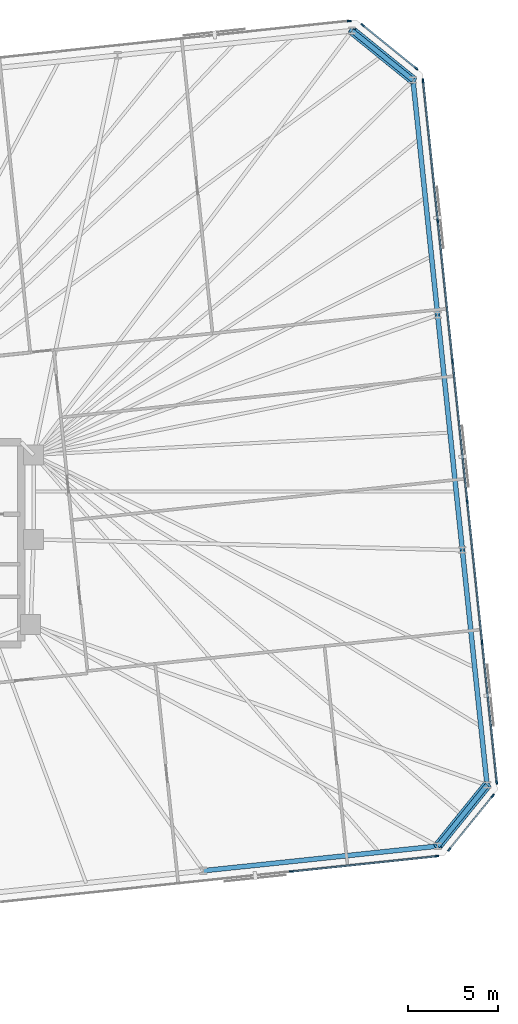
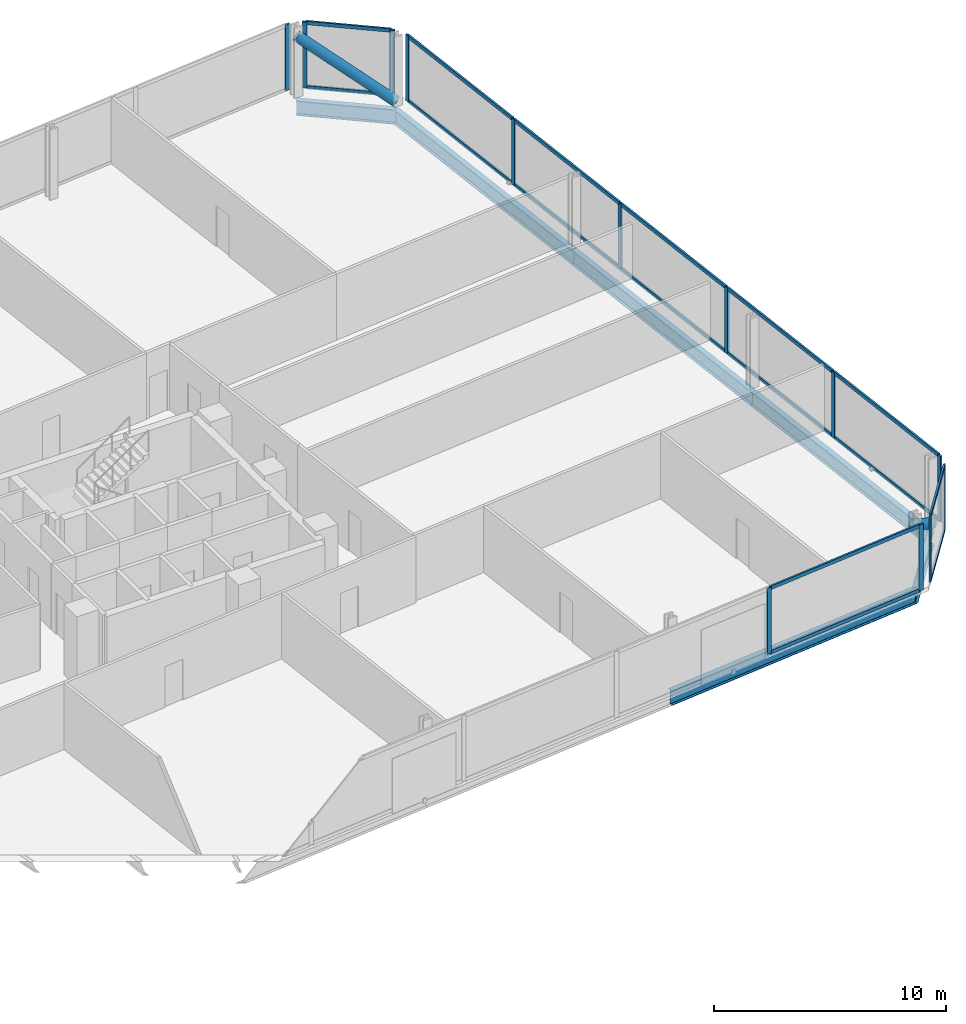
# One storey, part 12 of 18: 31 members, 6 beams, 5 elements without a shape of their own.
"""IFC4 building model written with IfcOpenShell, lengths in metres."""

from ifc_helpers import new_model, si_unit, direction, frame, origin, origin_2d, place, context, subcontext, project, spatial, rectangle, hollow_circle, i_section, extrude, material, material_profile, profile_set, type_object, element, aggregate, save


model = new_model("IFC4")

# Units and contexts
model_context = context("Model", 3, precision=1e-05, world=origin(), true_north=direction((0.0, 1.0)))
body_context = subcontext(model_context, "Body", "Model", "MODEL_VIEW")
ifc_project = project(units=[si_unit("LENGTHUNIT", "METRE"), si_unit("AREAUNIT", "SQUARE_METRE"), si_unit("VOLUMEUNIT", "CUBIC_METRE"), si_unit("PLANEANGLEUNIT", "RADIAN"), si_unit("MASSUNIT", "GRAM", prefix="KILO")], contexts=[model_context])

# Site, building, storey
site_placement = place(None, origin())
site = spatial("IfcSite", under=ifc_project, at=site_placement, CompositionType="ELEMENT")
building_placement = place(site_placement, origin())
building = spatial("IfcBuilding", under=site, at=building_placement, Name="Menara Jurai Vektor", CompositionType="ELEMENT")
storey_placement = place(building_placement, frame((0.0, 0.0, 120.699951171875)))
storey = spatial("IfcBuildingStorey", under=building, at=storey_placement, Name="L30", CompositionType="ELEMENT", Elevation=120.699951171875)

# Curtain wall, members
ifc_material_1 = material(Name="Anodised Pale Aluminium & Low-E Double Glazing", Category="aluminium")
curtain_wall_type = type_object("IfcCurtainWallType", Name="CW-BLK2", PredefinedType="NOTDEFINED", material=ifc_material_1)
curtain_wall_1_placement = place(storey_placement, origin())
curtain_wall_1 = element("IfcCurtainWall", 1, at=curtain_wall_1_placement, inside=storey, type_object=curtain_wall_type, Name="Unitised Curtain Wall L30 F01", PredefinedType="NOTDEFINED")
ifc_material_2 = material(Name="Anodised Pale Aluminium Mullion", Category="aluminium")
ifc_material_profile_1 = material_profile(ifc_material_2, rectangle(XDim=0.090087890625, YDim=0.219970703125, at=origin_2d()), Name="ALU MUL 90x220")
ifc_profile_set_1 = profile_set([ifc_material_profile_1], Name="Anodised Pale Aluminium Mullion")
member_type_1 = type_object("IfcMemberType", Name="CW-BLK2-MUL", PredefinedType="MULLION", material=ifc_profile_set_1)
member_1_placement = place(storey_placement, frame((29.52392578125, -18.169189453125, 0.0), z_axis=(0.0, 0.0, 1.0), x_axis=(-0.104528634935, 0.994521877325, 0.0)))
member_1 = element("IfcMember", 2, at=member_1_placement, type_object=member_type_1, Name="CW-02 mullion 8", PredefinedType="MULLION", context=body_context, shape_type="SweptSolid", body=[
    extrude(rectangle(XDim=0.090087890625, YDim=0.219970703125, at=origin_2d()), origin(), (0.0, 0.0, 1.0), 3.47509765625),
])
member_2_placement = place(storey_placement, frame((37.5771484375, -17.32275390625, 0.0), z_axis=(0.0, 0.0, 1.0), x_axis=(-0.104528634935, 0.994521877325, 0.0)))
member_2 = element("IfcMember", 3, at=member_2_placement, type_object=member_type_1, Name="CW-02 mullion 9", PredefinedType="MULLION", context=body_context, shape_type="SweptSolid", body=[
    extrude(rectangle(XDim=0.090087890625, YDim=0.219970703125, at=origin_2d()), origin(), (0.0, 0.0, 1.0), 3.47509765625),
])

curtain_wall_2_placement = place(storey_placement, origin())
curtain_wall_2 = element("IfcCurtainWall", 4, at=curtain_wall_2_placement, inside=storey, type_object=curtain_wall_type, Name="Unitised Curtain Wall L30 F02", PredefinedType="NOTDEFINED")
member_3_placement = place(storey_placement, frame((38.267333984375, -16.9482421875, 0.0), z_axis=(0.0, 0.0, 1.0), x_axis=(-0.777129222223, 0.62934106172, 0.0)))
member_3 = element("IfcMember", 5, at=member_3_placement, type_object=member_type_1, Name="CW-02 mullion 1", PredefinedType="MULLION", context=body_context, shape_type="SweptSolid", body=[
    extrude(rectangle(XDim=0.090087890625, YDim=0.219970703125, at=origin_2d()), origin(), (0.0, 0.0, 1.0), 3.47509765625),
])
member_4_placement = place(storey_placement, frame((40.66943359375, -13.98193359375, 0.0), z_axis=(0.0, 0.0, 1.0), x_axis=(-0.777129222223, 0.62934106172, 0.0)))
member_4 = element("IfcMember", 6, at=member_4_placement, type_object=member_type_1, Name="CW-02 mullion 2", PredefinedType="MULLION", context=body_context, shape_type="SweptSolid", body=[
    extrude(rectangle(XDim=0.090087890625, YDim=0.219970703125, at=origin_2d()), origin(), (0.0, 0.0, 1.0), 3.47509765625),
])

curtain_wall_3_placement = place(storey_placement, origin())
curtain_wall_3 = element("IfcCurtainWall", 7, at=curtain_wall_3_placement, inside=storey, type_object=curtain_wall_type, Name="Unitised Curtain Wall L30 F03", PredefinedType="NOTDEFINED")
member_5_placement = place(storey_placement, frame((40.892333984375, -13.22900390625, 0.0), z_axis=(0.0, 0.0, 1.0), x_axis=(-0.99452177832, -0.104529576902, 0.0)))
member_5 = element("IfcMember", 8, at=member_5_placement, type_object=member_type_1, Name="CW-02 mullion 1", PredefinedType="MULLION", context=body_context, shape_type="SweptSolid", body=[
    extrude(rectangle(XDim=0.090087890625, YDim=0.219970703125, at=origin_2d()), origin(), (0.0, 0.0, 1.0), 3.47509765625),
])
member_6_placement = place(storey_placement, frame((40.078857421875, -5.488525390625, 0.0), z_axis=(0.0, 0.0, 1.0), x_axis=(-0.99452177832, -0.104529576902, 0.0)))
member_6 = element("IfcMember", 9, at=member_6_placement, type_object=member_type_1, Name="CW-02 mullion 2", PredefinedType="MULLION", context=body_context, shape_type="SweptSolid", body=[
    extrude(rectangle(XDim=0.090087890625, YDim=0.219970703125, at=origin_2d()), origin(), (0.0, 0.0, 1.0), 3.47509765625),
])
member_7_placement = place(storey_placement, frame((39.260498046875, 2.296630859375, 0.0), z_axis=(0.0, 0.0, 1.0), x_axis=(-0.99452177832, -0.104529576902, 0.0)))
member_7 = element("IfcMember", 10, at=member_7_placement, type_object=member_type_1, Name="CW-02 mullion 3", PredefinedType="MULLION", context=body_context, shape_type="SweptSolid", body=[
    extrude(rectangle(XDim=0.090087890625, YDim=0.219970703125, at=origin_2d()), origin(), (0.0, 0.0, 1.0), 3.47509765625),
])
member_8_placement = place(storey_placement, frame((38.4423828125, 10.081787109375, 0.0), z_axis=(0.0, 0.0, 1.0), x_axis=(-0.99452177832, -0.104529576902, 0.0)))
member_8 = element("IfcMember", 11, at=member_8_placement, type_object=member_type_1, Name="CW-02 mullion 4", PredefinedType="MULLION", context=body_context, shape_type="SweptSolid", body=[
    extrude(rectangle(XDim=0.090087890625, YDim=0.219970703125, at=origin_2d()), origin(), (0.0, 0.0, 1.0), 3.47509765625),
])
member_9_placement = place(storey_placement, frame((37.6240234375, 17.866943359375, 0.0), z_axis=(0.0, 0.0, 1.0), x_axis=(-0.99452177832, -0.104529576902, 0.0)))
member_9 = element("IfcMember", 12, at=member_9_placement, type_object=member_type_1, Name="CW-02 mullion 5", PredefinedType="MULLION", context=body_context, shape_type="SweptSolid", body=[
    extrude(rectangle(XDim=0.090087890625, YDim=0.219970703125, at=origin_2d()), origin(), (0.0, 0.0, 1.0), 3.47509765625),
])
member_10_placement = place(storey_placement, frame((36.810546875, 25.607177734375, 0.0), z_axis=(0.0, 0.0, 1.0), x_axis=(-0.99452177832, -0.104529576902, 0.0)))
member_10 = element("IfcMember", 13, at=member_10_placement, type_object=member_type_1, Name="CW-02 mullion 6", PredefinedType="MULLION", context=body_context, shape_type="SweptSolid", body=[
    extrude(rectangle(XDim=0.090087890625, YDim=0.219970703125, at=origin_2d()), origin(), (0.0, 0.0, 1.0), 3.47509765625),
])

curtain_wall_4_placement = place(storey_placement, origin())
curtain_wall_4 = element("IfcCurtainWall", 14, at=curtain_wall_4_placement, inside=storey, type_object=curtain_wall_type, Name="Unitised Curtain Wall L30 F04", PredefinedType="NOTDEFINED")
member_11_placement = place(storey_placement, frame((36.435791015625, 26.29736328125, 0.0), z_axis=(0.0, 0.0, 1.0), x_axis=(-0.629313085353, -0.777151877437, 0.0)))
member_11 = element("IfcMember", 15, at=member_11_placement, type_object=member_type_1, Name="CW-02 mullion 1", PredefinedType="MULLION", context=body_context, shape_type="SweptSolid", body=[
    extrude(rectangle(XDim=0.090087890625, YDim=0.219970703125, at=origin_2d()), origin(), (0.0, 0.0, 1.0), 3.47509765625),
])
member_12_placement = place(storey_placement, frame((33.469482421875, 28.699462890625, 0.0), z_axis=(0.0, 0.0, 1.0), x_axis=(-0.629313085353, -0.777151877437, 0.0)))
member_12 = element("IfcMember", 16, at=member_12_placement, type_object=member_type_1, Name="CW-02 mullion 2", PredefinedType="MULLION", context=body_context, shape_type="SweptSolid", body=[
    extrude(rectangle(XDim=0.090087890625, YDim=0.219970703125, at=origin_2d()), origin(), (0.0, 0.0, 1.0), 3.47509765625),
])

# Curtain wall, member
curtain_wall_5_placement = place(storey_placement, origin())
curtain_wall_5 = element("IfcCurtainWall", 17, at=curtain_wall_5_placement, inside=storey, type_object=curtain_wall_type, Name="Unitised Curtain Wall L30 F05", PredefinedType="NOTDEFINED")
member_13_placement = place(storey_placement, frame((32.716552734375, 28.92236328125, 0.0), z_axis=(0.0, 0.0, 1.0), x_axis=(0.104528634935, -0.994521877325, 0.0)))
member_13 = element("IfcMember", 18, at=member_13_placement, type_object=member_type_1, Name="CW-02 mullion 1", PredefinedType="MULLION", context=body_context, shape_type="SweptSolid", body=[
    extrude(rectangle(XDim=0.090087890625, YDim=0.219970703125, at=origin_2d()), origin(), (0.0, 0.0, 1.0), 3.47509765625),
])
aggregate(curtain_wall_5, [member_13])

# Member
ifc_material_3 = material(Name="Anodised Pale Aluminium Transom", Category="aluminium")
ifc_material_profile_2 = material_profile(ifc_material_3, rectangle(XDim=0.090087890625, YDim=0.18505859375, at=origin_2d()), Name="ALU TRN 90x185")
ifc_profile_set_2 = profile_set([ifc_material_profile_2], Name="Anodised Pale Aluminium Transom")
member_type_2 = type_object("IfcMemberType", Name="CW-BLK2-TRN", PredefinedType="USERDEFINED", material=ifc_profile_set_2)
member_14_placement = place(storey_placement, frame((29.56884765625, -18.16455078125, 0.045166015625), z_axis=(0.994519977808, 0.104546706027, 0.0), x_axis=(-0.104546706027, 0.994519977808, 0.0)))
member_14 = element("IfcMember", 19, at=member_14_placement, type_object=member_type_2, Name="CW-02 transom 8.1", ObjectType="TRANSOM", PredefinedType="USERDEFINED", context=body_context, shape_type="SweptSolid", body=[
    extrude(rectangle(XDim=0.090087890625, YDim=0.18505859375, at=origin_2d()), origin(), (0.0, 0.0, 1.0), 8.007568359375),
])

member_15_placement = place(storey_placement, frame((29.56884765625, -18.16455078125, 3.429931640625), z_axis=(0.994519977808, 0.104546706027, 0.0), x_axis=(-0.104546706027, 0.994519977808, 0.0)))
member_15 = element("IfcMember", 20, at=member_15_placement, type_object=member_type_2, Name="CW-02 transom 8.2", ObjectType="TRANSOM", PredefinedType="USERDEFINED", context=body_context, shape_type="SweptSolid", body=[
    extrude(rectangle(XDim=0.090087890625, YDim=0.18505859375, at=origin_2d()), origin(), (0.0, 0.0, 1.0), 8.007568359375),
])

aggregate(curtain_wall_1, [member_1, member_2, member_14, member_15])

member_16_placement = place(storey_placement, frame((38.295654296875, -16.9130859375, 0.045166015625), z_axis=(0.6293414396, 0.777128916205, 0.0), x_axis=(-0.777128916205, 0.6293414396, 0.0)))
member_16 = element("IfcMember", 21, at=member_16_placement, type_object=member_type_2, Name="CW-02 transom 1.1", ObjectType="TRANSOM", PredefinedType="USERDEFINED", context=body_context, shape_type="SweptSolid", body=[
    extrude(rectangle(XDim=0.090087890625, YDim=0.18505859375, at=origin_2d()), origin(), (0.0, 0.0, 1.0), 3.726806640625),
])

member_17_placement = place(storey_placement, frame((38.295654296875, -16.9130859375, 3.429931640625), z_axis=(0.6293414396, 0.777128916205, 0.0), x_axis=(-0.777128916205, 0.6293414396, 0.0)))
member_17 = element("IfcMember", 22, at=member_17_placement, type_object=member_type_2, Name="CW-02 transom 1.2", ObjectType="TRANSOM", PredefinedType="USERDEFINED", context=body_context, shape_type="SweptSolid", body=[
    extrude(rectangle(XDim=0.090087890625, YDim=0.18505859375, at=origin_2d()), origin(), (0.0, 0.0, 1.0), 3.726806640625),
])

aggregate(curtain_wall_2, [member_3, member_4, member_16, member_17])

member_18_placement = place(storey_placement, frame((40.8876953125, -13.18408203125, 0.045166015625), z_axis=(-0.104536105602, 0.994521092097, 0.0), x_axis=(-0.994521092097, -0.104536105602, 0.0)))
member_18 = element("IfcMember", 23, at=member_18_placement, type_object=member_type_2, Name="CW-02 transom 1.1", ObjectType="TRANSOM", PredefinedType="USERDEFINED", context=body_context, shape_type="SweptSolid", body=[
    extrude(rectangle(XDim=0.090087890625, YDim=0.18505859375, at=origin_2d()), origin(), (0.0, 0.0, 1.0), 7.693115234375),
])

member_19_placement = place(storey_placement, frame((40.8876953125, -13.18408203125, 3.429931640625), z_axis=(-0.104536105602, 0.994521092097, 0.0), x_axis=(-0.994521092097, -0.104536105602, 0.0)))
member_19 = element("IfcMember", 24, at=member_19_placement, type_object=member_type_2, Name="CW-02 transom 1.2", ObjectType="TRANSOM", PredefinedType="USERDEFINED", context=body_context, shape_type="SweptSolid", body=[
    extrude(rectangle(XDim=0.090087890625, YDim=0.18505859375, at=origin_2d()), origin(), (0.0, 0.0, 1.0), 7.693115234375),
])

member_20_placement = place(storey_placement, frame((40.07421875, -5.44384765625, 0.045166015625), z_axis=(-0.104528756613, 0.994521864536, 0.0), x_axis=(-0.994521864536, -0.104528756613, 0.0)))
member_20 = element("IfcMember", 25, at=member_20_placement, type_object=member_type_2, Name="CW-02 transom 2.1", ObjectType="TRANSOM", PredefinedType="USERDEFINED", context=body_context, shape_type="SweptSolid", body=[
    extrude(rectangle(XDim=0.090087890625, YDim=0.18505859375, at=origin_2d()), origin(), (0.0, 0.0, 1.0), 7.738037109375),
])

member_21_placement = place(storey_placement, frame((40.07421875, -5.44384765625, 3.429931640625), z_axis=(-0.104528756613, 0.994521864536, 0.0), x_axis=(-0.994521864536, -0.104528756613, 0.0)))
member_21 = element("IfcMember", 26, at=member_21_placement, type_object=member_type_2, Name="CW-02 transom 2.2", ObjectType="TRANSOM", PredefinedType="USERDEFINED", context=body_context, shape_type="SweptSolid", body=[
    extrude(rectangle(XDim=0.090087890625, YDim=0.18505859375, at=origin_2d()), origin(), (0.0, 0.0, 1.0), 7.738037109375),
])

member_22_placement = place(storey_placement, frame((39.255859375, 2.34130859375, 0.045166015625), z_axis=(-0.104528756613, 0.994521864536, 0.0), x_axis=(-0.994521864536, -0.104528756613, 0.0)))
member_22 = element("IfcMember", 27, at=member_22_placement, type_object=member_type_2, Name="CW-02 transom 3.1", ObjectType="TRANSOM", PredefinedType="USERDEFINED", context=body_context, shape_type="SweptSolid", body=[
    extrude(rectangle(XDim=0.090087890625, YDim=0.18505859375, at=origin_2d()), origin(), (0.0, 0.0, 1.0), 7.738037109375),
])

member_23_placement = place(storey_placement, frame((39.255859375, 2.34130859375, 3.429931640625), z_axis=(-0.104528756613, 0.994521864536, 0.0), x_axis=(-0.994521864536, -0.104528756613, 0.0)))
member_23 = element("IfcMember", 28, at=member_23_placement, type_object=member_type_2, Name="CW-02 transom 3.2", ObjectType="TRANSOM", PredefinedType="USERDEFINED", context=body_context, shape_type="SweptSolid", body=[
    extrude(rectangle(XDim=0.090087890625, YDim=0.18505859375, at=origin_2d()), origin(), (0.0, 0.0, 1.0), 7.738037109375),
])

member_24_placement = place(storey_placement, frame((38.4375, 10.12646484375, 0.045166015625), z_axis=(-0.104528756613, 0.994521864536, 0.0), x_axis=(-0.994521864536, -0.104528756613, 0.0)))
member_24 = element("IfcMember", 29, at=member_24_placement, type_object=member_type_2, Name="CW-02 transom 4.1", ObjectType="TRANSOM", PredefinedType="USERDEFINED", context=body_context, shape_type="SweptSolid", body=[
    extrude(rectangle(XDim=0.090087890625, YDim=0.18505859375, at=origin_2d()), origin(), (0.0, 0.0, 1.0), 7.738037109375),
])

member_25_placement = place(storey_placement, frame((38.4375, 10.12646484375, 3.429931640625), z_axis=(-0.104528756613, 0.994521864536, 0.0), x_axis=(-0.994521864536, -0.104528756613, 0.0)))
member_25 = element("IfcMember", 30, at=member_25_placement, type_object=member_type_2, Name="CW-02 transom 4.2", ObjectType="TRANSOM", PredefinedType="USERDEFINED", context=body_context, shape_type="SweptSolid", body=[
    extrude(rectangle(XDim=0.090087890625, YDim=0.18505859375, at=origin_2d()), origin(), (0.0, 0.0, 1.0), 7.738037109375),
])

member_26_placement = place(storey_placement, frame((37.619384765625, 17.91162109375, 0.045166015625), z_axis=(-0.104536105602, 0.994521092097, 0.0), x_axis=(-0.994521092097, -0.104536105602, 0.0)))
member_26 = element("IfcMember", 31, at=member_26_placement, type_object=member_type_2, Name="CW-02 transom 5.1", ObjectType="TRANSOM", PredefinedType="USERDEFINED", context=body_context, shape_type="SweptSolid", body=[
    extrude(rectangle(XDim=0.090087890625, YDim=0.18505859375, at=origin_2d()), origin(), (0.0, 0.0, 1.0), 7.693115234375),
])

member_27_placement = place(storey_placement, frame((37.619384765625, 17.91162109375, 3.429931640625), z_axis=(-0.104536105602, 0.994521092097, 0.0), x_axis=(-0.994521092097, -0.104536105602, 0.0)))
member_27 = element("IfcMember", 32, at=member_27_placement, type_object=member_type_2, Name="CW-02 transom 5.2", ObjectType="TRANSOM", PredefinedType="USERDEFINED", context=body_context, shape_type="SweptSolid", body=[
    extrude(rectangle(XDim=0.090087890625, YDim=0.18505859375, at=origin_2d()), origin(), (0.0, 0.0, 1.0), 7.693115234375),
])

aggregate(curtain_wall_3, [member_5, member_6, member_7, member_8, member_9, member_10, member_18, member_19, member_20, member_21, member_22, member_23, member_24, member_25, member_26, member_27])

member_28_placement = place(storey_placement, frame((36.40087890625, 26.32568359375, 0.045166015625), z_axis=(-0.77715486027, 0.629309401772, 0.0), x_axis=(-0.629309401772, -0.77715486027, 0.0)))
member_28 = element("IfcMember", 33, at=member_28_placement, type_object=member_type_2, Name="CW-02 transom 1.1", ObjectType="TRANSOM", PredefinedType="USERDEFINED", context=body_context, shape_type="SweptSolid", body=[
    extrude(rectangle(XDim=0.090087890625, YDim=0.18505859375, at=origin_2d()), origin(), (0.0, 0.0, 1.0), 3.72705078125),
])

member_29_placement = place(storey_placement, frame((36.40087890625, 26.32568359375, 3.429931640625), z_axis=(-0.77715486027, 0.629309401772, 0.0), x_axis=(-0.629309401772, -0.77715486027, 0.0)))
member_29 = element("IfcMember", 34, at=member_29_placement, type_object=member_type_2, Name="CW-02 transom 1.2", ObjectType="TRANSOM", PredefinedType="USERDEFINED", context=body_context, shape_type="SweptSolid", body=[
    extrude(rectangle(XDim=0.090087890625, YDim=0.18505859375, at=origin_2d()), origin(), (0.0, 0.0, 1.0), 3.72705078125),
])

aggregate(curtain_wall_4, [member_11, member_12, member_28, member_29])

# Members
ifc_material_4 = material(Name="Steel S460", Category="steel")
ifc_material_profile_3 = material_profile(ifc_material_4, hollow_circle(Radius=0.25390625, WallThickness=0.02001953125, at=origin_2d()), Name="CHS 508x20")
ifc_profile_set_3 = profile_set([ifc_material_profile_3], Name="Steel S460")
member_type_3 = type_object("IfcMemberType", Name="STR-BR-508", PredefinedType="BRACE", material=ifc_profile_set_3)
for number, where, z_axis, x_axis, name in (
    (35, (40.356201171875, -13.388671875, 0.150146484375), (-0.51928532157, -0.641224642617, 0.564954611011), (0.777127086072, -0.629343699494, 0.0), "Exoskeleton Corner Brace L30-1"),
    (36, (36.252685546875, 25.65185546875, 0.150146484375), (-0.641224642617, 0.51928532157, 0.564954611011), (-0.629343699494, -0.777127086072, 0.0), "Exoskeleton Corner Brace L30-2"),
):
    element("IfcMember", number, at=place(storey_placement, frame(where, z_axis=z_axis, x_axis=x_axis)), inside=storey, type_object=member_type_3, Name=name, PredefinedType="BRACE", context=body_context, shape_type="SweptSolid", body=[
        extrude(hollow_circle(Radius=0.25390625, WallThickness=0.02001953125, at=origin_2d()), origin(), (0.0, 0.0, 1.0), 5.265625),
    ])

# Beams
ifc_material_profile_4 = material_profile(ifc_material_4, i_section(OverallWidth=0.26806640625, OverallDepth=0.77001953125, WebThickness=0.01611328125, FlangeThickness=0.02490234375, FilletRadius=0.01708984375, at=origin_2d()), Name="UKB 762x267x197")
ifc_profile_set_4 = profile_set([ifc_material_profile_4], Name="Steel S460")
beam_type = type_object("IfcBeamType", Name="STR-SP-762", PredefinedType="SPANDREL", material=ifc_profile_set_4)
beam_1_placement = place(storey_placement, frame((24.64208984375, -18.12939453125, -0.60986328125), z_axis=(0.994521636083, 0.104530930169, 0.0), x_axis=(-0.104530930169, 0.994521636083, 0.0)))
element("IfcBeam", 37, at=beam_1_placement, inside=storey, type_object=beam_type, Name="Exoskeleton Spandrel Beam L30-05", PredefinedType="SPANDREL", context=body_context, shape_type="SweptSolid", body=[
    extrude(i_section(OverallWidth=0.26806640625, OverallDepth=0.77001953125, WebThickness=0.01611328125, FlangeThickness=0.02490234375, FilletRadius=0.01708984375, at=origin_2d()), origin(), (0.0, 0.0, 1.0), 13.05126953125),
])
beam_2_placement = place(storey_placement, frame((37.621826171875, -16.76513671875, -0.60986328125), z_axis=(0.629343699494, 0.777127086072, 0.0), x_axis=(-0.777127086072, 0.629343699494, 0.0)))
element("IfcBeam", 38, at=beam_2_placement, inside=storey, type_object=beam_type, Name="Exoskeleton Spandrel Beam L30-06", PredefinedType="SPANDREL", context=body_context, shape_type="SweptSolid", body=[
    extrude(i_section(OverallWidth=0.26806640625, OverallDepth=0.77001953125, WebThickness=0.01611328125, FlangeThickness=0.02490234375, FilletRadius=0.01708984375, at=origin_2d()), origin(), (0.0, 0.0, 1.0), 4.3447265625),
])
beam_3_placement = place(storey_placement, frame((40.356201171875, -13.388671875, -0.60986328125), z_axis=(-0.104538130097, 0.994520879296, 0.0), x_axis=(-0.994520879296, -0.104538130097, 0.0)))
element("IfcBeam", 39, at=beam_3_placement, inside=storey, type_object=beam_type, Name="Exoskeleton Spandrel Beam L30-07", PredefinedType="SPANDREL", context=body_context, shape_type="SweptSolid", body=[
    extrude(i_section(OverallWidth=0.26806640625, OverallDepth=0.77001953125, WebThickness=0.01611328125, FlangeThickness=0.02490234375, FilletRadius=0.01708984375, at=origin_2d()), origin(), (0.0, 0.0, 1.0), 13.08544921875),
])
beam_4_placement = place(storey_placement, frame((38.98828125, -0.375, -0.60986328125), z_axis=(-0.104521615846, 0.994522615037, 0.0), x_axis=(-0.994522615037, -0.104521615846, 0.0)))
element("IfcBeam", 40, at=beam_4_placement, inside=storey, type_object=beam_type, Name="Exoskeleton Spandrel Beam L30-08", PredefinedType="SPANDREL", context=body_context, shape_type="SweptSolid", body=[
    extrude(i_section(OverallWidth=0.26806640625, OverallDepth=0.77001953125, WebThickness=0.01611328125, FlangeThickness=0.02490234375, FilletRadius=0.01708984375, at=origin_2d()), origin(), (0.0, 0.0, 1.0), 13.085205078125),
])
beam_5_placement = place(storey_placement, frame((37.62060546875, 12.638427734375, -0.60986328125), z_axis=(-0.104538130097, 0.994520879296, 0.0), x_axis=(-0.994520879296, -0.104538130097, 0.0)))
element("IfcBeam", 41, at=beam_5_placement, inside=storey, type_object=beam_type, Name="Exoskeleton Spandrel Beam L30-09", PredefinedType="SPANDREL", context=body_context, shape_type="SweptSolid", body=[
    extrude(i_section(OverallWidth=0.26806640625, OverallDepth=0.77001953125, WebThickness=0.01611328125, FlangeThickness=0.02490234375, FilletRadius=0.01708984375, at=origin_2d()), origin(), (0.0, 0.0, 1.0), 13.08544921875),
])
beam_6_placement = place(storey_placement, frame((36.252685546875, 25.652099609375, -0.60986328125), z_axis=(-0.777154568396, 0.629309762217, 0.0), x_axis=(-0.629309762217, -0.777154568396, 0.0)))
element("IfcBeam", 42, at=beam_6_placement, inside=storey, type_object=beam_type, Name="Exoskeleton Spandrel Beam L30-10", PredefinedType="SPANDREL", context=body_context, shape_type="SweptSolid", body=[
    extrude(i_section(OverallWidth=0.26806640625, OverallDepth=0.77001953125, WebThickness=0.01611328125, FlangeThickness=0.02490234375, FilletRadius=0.01708984375, at=origin_2d()), origin(), (0.0, 0.0, 1.0), 4.3447265625),
])

save(model, "model.ifc")
